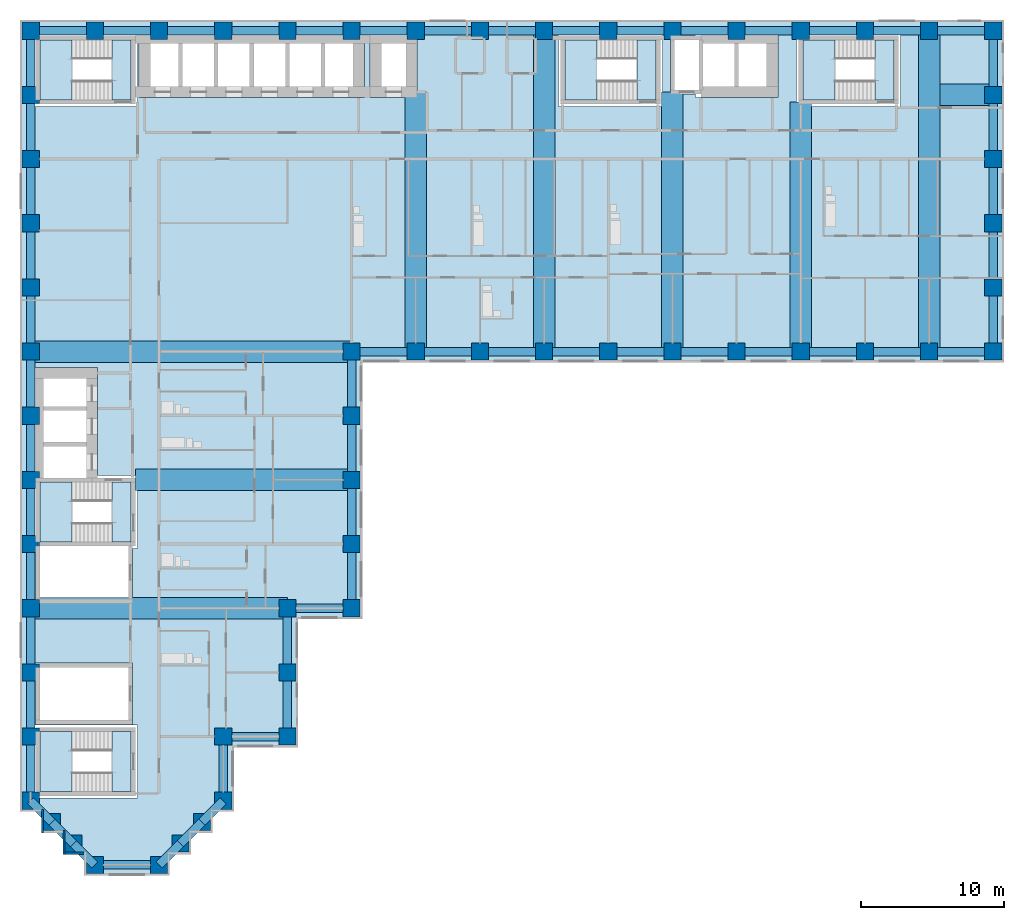
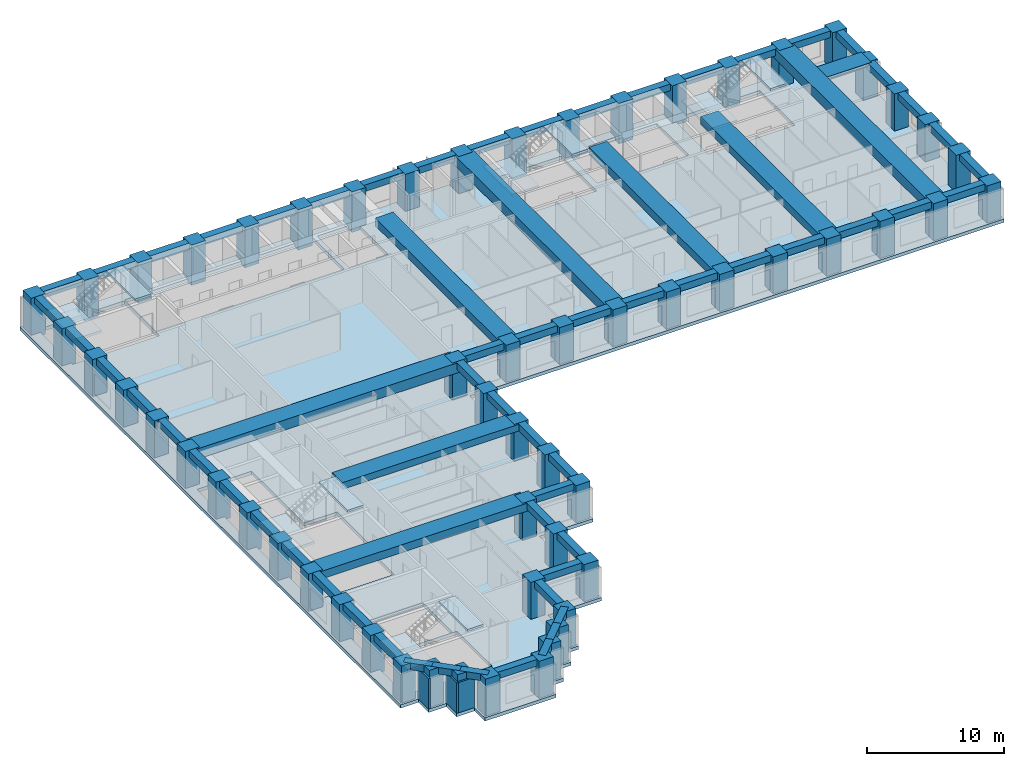
# One storey, part 1 of 12: 67 beams, 58 columns, 11 slabs, 3 walls, 5 elements without a shape of their own.
"""IFC4 building model written with IfcOpenShell, lengths in metres."""

import ifcopenshell
import ifcopenshell.guid

model = None  # the IFC model being written
_history = None  # IfcOwnerHistory: only IFC2X3 demands one
_inside = {}  # id of a spatial element -> (the spatial element, [elements in it])
_under = {}  # id of a project, library or spatial element -> (it, [spatial elements below it])
_declared = {}  # id of a project -> (the project, [libraries it declares])
_typed = {}  # id of a type object -> (the type object, [elements of that type])
_made_of = {}  # id of a material, layer set ... -> (it, [elements and type objects made of it])


def new_model(schema):
    """Start an empty IFC model of exactly this schema.

    Asked for "IFC4X3", IfcOpenShell would pick the latest addendum, in which some entities
    have other attributes; the version numbers below select the first issue.
    IFC2X3 requires an IfcOwnerHistory on every rooted entity: one is made here for all.
    """
    global model, _history
    if schema == "IFC4X3":
        model = ifcopenshell.file(schema_version=(4, 3, 0, 0))
    else:
        model = ifcopenshell.file(schema=schema)
    _inside.clear()
    _under.clear()
    _declared.clear()
    _typed.clear()
    _made_of.clear()
    _history = None
    if model.schema == "IFC2X3":
        org = make("IfcOrganization", Name="unknown")
        user = make(
            "IfcPersonAndOrganization",
            ThePerson=make("IfcPerson", FamilyName="unknown"),
            TheOrganization=org,
        )
        app = make(
            "IfcApplication",
            ApplicationDeveloper=org,
            Version="unknown",
            ApplicationFullName="unknown",
            ApplicationIdentifier="unknown",
        )
        _history = make(
            "IfcOwnerHistory",
            OwningUser=user,
            OwningApplication=app,
            ChangeAction="ADDED",
            CreationDate=0,
        )
    return model


def make(cls, **values):
    """One entity of the class cls with the attributes given. An attribute that is None is left unset."""
    return model.create_entity(
        cls, **{name: value for name, value in values.items() if value is not None}
    )


def rooted(cls, **values):
    """An entity with a GlobalId (a new one), such as an element, a storey or a relation."""
    return make(cls, GlobalId=ifcopenshell.guid.new(), OwnerHistory=_history, **values)


def si_unit(unit_type, name, prefix=None):
    """IfcSIUnit, for example si_unit("LENGTHUNIT", "METRE", prefix="MILLI")."""
    return make("IfcSIUnit", UnitType=unit_type, Prefix=prefix, Name=name)


def assignment(units):
    """IfcUnitAssignment: the units of a project."""
    return None if units is None else make("IfcUnitAssignment", Units=units)


def point(xyz):
    """IfcCartesianPoint."""
    return None if xyz is None else make("IfcCartesianPoint", Coordinates=xyz)


def direction(xyz):
    """IfcDirection."""
    return None if xyz is None else make("IfcDirection", DirectionRatios=xyz)


def frame(location, z_axis=None, x_axis=None):
    """IfcAxis2Placement3D, a coordinate frame: its origin and axes. An axis left out is left unset."""
    return make(
        "IfcAxis2Placement3D",
        Location=point(location),
        Axis=direction(z_axis),
        RefDirection=direction(x_axis),
    )


def frame_2d(location, x_axis=None):
    """IfcAxis2Placement2D, a coordinate frame in the plane: its origin and x axis."""
    return make(
        "IfcAxis2Placement2D", Location=point(location), RefDirection=direction(x_axis)
    )


def origin():
    """The frame at (0, 0, 0) with its axes left unset."""
    return frame((0.0, 0.0, 0.0))


def origin_2d():
    """The frame at (0, 0) in the plane with its x axis left unset."""
    return frame_2d((0.0, 0.0))


def place(relative_to, where):
    """IfcLocalPlacement: puts the frame where relative to a parent placement (None: the world)."""
    return make(
        "IfcLocalPlacement", PlacementRelTo=relative_to, RelativePlacement=where
    )


def context(
    kind, dimensions, precision=None, world=None, true_north=None, identifier=None
):
    """IfcGeometricRepresentationContext, for example the 3D "Model" context."""
    return make(
        "IfcGeometricRepresentationContext",
        ContextIdentifier=identifier,
        ContextType=kind,
        CoordinateSpaceDimension=dimensions,
        Precision=precision,
        WorldCoordinateSystem=world,
        TrueNorth=true_north,
    )


def subcontext(parent, identifier, kind, view, scale=None):
    """IfcGeometricRepresentationSubContext, for example "Body" below "Model"."""
    return make(
        "IfcGeometricRepresentationSubContext",
        ContextIdentifier=identifier,
        ContextType=kind,
        ParentContext=parent,
        TargetScale=scale,
        TargetView=view,
    )


def project(units=None, contexts=None):
    """IfcProject with its units and contexts."""
    return rooted(
        "IfcProject",
        Name="project",
        RepresentationContexts=contexts,
        UnitsInContext=assignment(units),
    )


def spatial(cls, under=None, at=None, **own):
    """A site, building, storey or space (cls), placed at a placement, below another one or the project."""
    s = rooted(cls, ObjectPlacement=at, **own)
    if under is not None:
        _under.setdefault(under.id(), (under, []))[1].append(s)
    return s


def polyline(points):
    """IfcPolyline through the points."""
    return make("IfcPolyline", Points=[point(p) for p in points])


def profile(cls, at=None, kind="AREA", **sizes):
    """A parametric profile (cls). Its sizes go by their IFC names, for example OverallWidth=200.0."""
    return make(cls, ProfileType=kind, Position=at, **sizes)


def rectangle(**sizes):
    """IfcRectangleProfileDef."""
    return profile("IfcRectangleProfileDef", **sizes)


def outline(outer, holes=None, kind="AREA"):
    """IfcArbitraryClosedProfileDef: a profile drawn as a closed curve; with holes, ...WithVoids."""
    if holes is None:
        return make("IfcArbitraryClosedProfileDef", ProfileType=kind, OuterCurve=outer)
    return make(
        "IfcArbitraryProfileDefWithVoids",
        ProfileType=kind,
        OuterCurve=outer,
        InnerCurves=holes,
    )


def extrude(swept, where, along, depth):
    """IfcExtrudedAreaSolid: the profile swept, set in the frame where, extruded along a direction by depth."""
    return make(
        "IfcExtrudedAreaSolid",
        SweptArea=swept,
        Position=where,
        ExtrudedDirection=direction(along),
        Depth=depth,
    )


def shape(context_of_items, identifier, shape_type, items):
    """IfcShapeRepresentation: the items that make up one representation, for example the "Body"."""
    return make(
        "IfcShapeRepresentation",
        ContextOfItems=context_of_items,
        RepresentationIdentifier=identifier,
        RepresentationType=shape_type,
        Items=items,
    )


def material(Name=None, Category=None):
    """IfcMaterial."""
    return make("IfcMaterial", Name=Name, Category=Category)


def layer(
    of_material, thickness, ventilated=None, Name=None, Category=None, Priority=None
):
    """IfcMaterialLayer: one layer of a wall or slab, of a material (None: an air gap)."""
    return make(
        "IfcMaterialLayer",
        Material=of_material,
        LayerThickness=thickness,
        IsVentilated=ventilated,
        Name=Name,
        Category=Category,
        Priority=Priority,
    )


def layer_set(layers, Name=None):
    """IfcMaterialLayerSet."""
    return make("IfcMaterialLayerSet", MaterialLayers=layers, LayerSetName=Name)


def material_profile(
    of_material, cross_section, Name=None, Category=None, Priority=None
):
    """IfcMaterialProfile: a cross section and its material."""
    return make(
        "IfcMaterialProfile",
        Name=Name,
        Material=of_material,
        Profile=cross_section,
        Priority=Priority,
        Category=Category,
    )


def profile_set(profiles, Name=None, composite=None):
    """IfcMaterialProfileSet."""
    return make(
        "IfcMaterialProfileSet",
        Name=Name,
        MaterialProfiles=profiles,
        CompositeProfile=composite,
    )


def made_of(thing, what):
    """Note that an element or type object is made of a material, layer set ...; save() writes the relation."""
    if what is not None:
        _made_of.setdefault(what.id(), (what, []))[1].append(thing)
    return thing


def type_object(cls, material=None, **own):
    """A type object (cls), such as IfcWallType, which elements share."""
    return made_of(rooted(cls, **own), material)


def element(
    cls,
    number,
    at=None,
    inside=None,
    cuts=None,
    type_object=None,
    material=None,
    context=None,
    identifier="Body",
    shape_type=None,
    held_by="IfcProductDefinitionShape",
    body=None,
    shapes=None,
    **own,
):
    """One element of the class cls, such as IfcWall. Its Tag is "e" and its number.

    at: its placement. inside: the storey or other place that contains it. cuts: it is an
    opening in that element (IfcRelVoidsElement). A single representation is given by context,
    identifier, shape_type and body (its items); several are given by shapes. held_by: the class
    of the entity that holds the representations. save() writes the other relations.
    """
    e = rooted(cls, Tag="e%d" % number, ObjectPlacement=at, **own)
    if body is not None:
        shapes = [shape(context, identifier, shape_type, body)]
    if shapes is not None:
        e.Representation = make(held_by, Representations=shapes)
    if inside is not None:
        _inside.setdefault(inside.id(), (inside, []))[1].append(e)
    if cuts is not None:
        rooted(
            "IfcRelVoidsElement", RelatingBuildingElement=cuts, RelatedOpeningElement=e
        )
    if type_object is not None:
        _typed.setdefault(type_object.id(), (type_object, []))[1].append(e)
    return made_of(e, material)


def aggregate(whole, parts):
    """IfcRelAggregates: a whole, such as a stair, and the parts it consists of."""
    return rooted("IfcRelAggregates", RelatingObject=whole, RelatedObjects=parts)


def save(model, path):
    """Write the relations noted so far, then the file.

    IfcRelAggregates (storeys below a building ...), IfcRelContainedInSpatialStructure (elements
    in a storey), IfcRelDefinesByType, IfcRelAssociatesMaterial and IfcRelDeclares: one each for
    every whole, place, type object, material and project.
    """
    for whole, parts in _under.values():
        aggregate(whole, parts)
    for where, things in _inside.values():
        rooted(
            "IfcRelContainedInSpatialStructure",
            RelatedElements=things,
            RelatingStructure=where,
        )
    for kind, things in _typed.values():
        rooted("IfcRelDefinesByType", RelatedObjects=things, RelatingType=kind)
    for what, things in _made_of.values():
        rooted("IfcRelAssociatesMaterial", RelatedObjects=things, RelatingMaterial=what)
    for by, libraries in _declared.values():
        rooted("IfcRelDeclares", RelatingContext=by, RelatedDefinitions=libraries)
    model.write(path)


model = new_model("IFC4")

# Units and contexts
model_context = context("Model", 3, precision=1e-05, world=origin(), true_north=direction((0.0, 1.0)))
body_context = subcontext(model_context, "Body", "Model", "MODEL_VIEW")
ifc_project = project(units=[si_unit("LENGTHUNIT", "METRE"), si_unit("AREAUNIT", "SQUARE_METRE"), si_unit("VOLUMEUNIT", "CUBIC_METRE"), si_unit("PLANEANGLEUNIT", "RADIAN"), si_unit("MASSUNIT", "GRAM", prefix="KILO")], contexts=[model_context])

# Site, building, storey
site_placement = place(None, origin())
site = spatial("IfcSite", under=ifc_project, at=site_placement, CompositionType="ELEMENT")
building_placement = place(site_placement, origin())
building = spatial("IfcBuilding", under=site, at=building_placement, Name="Firuza Court", CompositionType="ELEMENT")
storey_placement = place(building_placement, frame((0.0, 0.0, 54.199951171875)))
storey = spatial("IfcBuildingStorey", under=building, at=storey_placement, Name="L12", CompositionType="ELEMENT", Elevation=54.199951171875)

# Columns
ifc_material_1 = material(Name="Concrete C70/85", Category="concrete")
ifc_material_profile_1 = material_profile(ifc_material_1, rectangle(XDim=1.199951171875, YDim=1.199951171875, at=origin_2d()), Name="RC 1200x1200")
ifc_profile_set_1 = profile_set([ifc_material_profile_1], Name="Concrete C70/85")
column_type = type_object("IfcColumnType", Name="Tube column RC 1200x1200 C70/85", PredefinedType="COLUMN", material=ifc_profile_set_1)
for number, where, z_axis, x_axis, name in (
    (1, (4.5, 0.0, -0.300048828125), (0.0, 0.0, 1.0), (1.0, 0.0, 0.0), "Column C-2D L12"),
    (2, (9.0, 0.0, -0.300048828125), (0.0, 0.0, 1.0), (1.0, 0.0, 0.0), "Column C-3D L12"),
    (3, (3.0, 1.5, -0.300048828125), (0.0, 0.0, 1.0), (1.0, 0.0, 0.0), "Column C-SA1 L12"),
    (4, (10.5, 1.5, -0.300048828125), (0.0, 0.0, 1.0), (1.0, 0.0, 0.0), "Column C-SA2 L12"),
    (5, (1.5, 3.0, -0.300048828125), (0.0, 0.0, 1.0), (1.0, 0.0, 0.0), "Column C-SA3 L12"),
    (6, (12.0, 3.0, -0.300048828125), (0.0, 0.0, 1.0), (1.0, 0.0, 0.0), "Column C-SA4 L12"),
    (7, (0.0, 4.5, -0.300048828125), (0.0, 0.0, 1.0), (1.0, 0.0, 0.0), "Column C-1E L12"),
    (8, (13.5, 4.5, -0.300048828125), (0.0, 0.0, 1.0), (1.0, 0.0, 0.0), "Column C-4E L12"),
    (9, (0.0, 9.0, -0.300048828125), (0.0, 0.0, 1.0), (1.0, 0.0, 0.0), "Column C-1F L12"),
    (10, (13.5, 9.0, -0.300048828125), (0.0, 0.0, 1.0), (1.0, 0.0, 0.0), "Column C-4F L12"),
    (11, (18.0, 9.0, -0.300048828125), (0.0, 0.0, 1.0), (1.0, 0.0, 0.0), "Column C-5F L12"),
    (12, (0.0, 13.5, -0.300048828125), (0.0, 0.0, 1.0), (1.0, 0.0, 0.0), "Column C-1G L12"),
    (13, (18.0, 13.5, -0.300048828125), (0.0, 0.0, 1.0), (1.0, 0.0, 0.0), "Column C-5G L12"),
    (14, (0.0, 18.0, -0.300048828125), (0.0, 0.0, 1.0), (1.0, 0.0, 0.0), "Column C-1H L12"),
    (15, (18.0, 18.0, -0.300048828125), (0.0, 0.0, 1.0), (1.0, 0.0, 0.0), "Column C-5H L12"),
    (16, (22.5, 18.0, -0.300048828125), (0.0, 0.0, 1.0), (1.0, 0.0, 0.0), "Column C-6H L12"),
    (17, (0.0, 22.5, -0.300048828125), (0.0, 0.0, 1.0), (1.0, 0.0, 0.0), "Column C-1J L12"),
    (18, (22.5, 22.5, -0.300048828125), (0.0, 0.0, 1.0), (1.0, 0.0, 0.0), "Column C-6J L12"),
    (19, (0.0, 27.0, -0.300048828125), (0.0, 0.0, 1.0), (1.0, 0.0, 0.0), "Column C-1K L12"),
    (20, (22.5, 27.0, -0.300048828125), (0.0, 0.0, 1.0), (1.0, 0.0, 0.0), "Column C-6K L12"),
    (21, (0.0, 31.5, -0.300048828125), (0.0, 0.0, 1.0), (1.0, 0.0, 0.0), "Column C-1L L12"),
    (22, (22.5, 31.5, -0.300048828125), (0.0, 0.0, 1.0), (1.0, 0.0, 0.0), "Column C-6L L12"),
    (23, (0.0, 36.0, -0.300048828125), (0.0, 0.0, 1.0), (1.0, 0.0, 0.0), "Column C-1M L12"),
    (24, (22.5, 36.0, -0.300048828125), (0.0, 0.0, 1.0), (1.0, 0.0, 0.0), "Column C-6M L12"),
    (25, (27.0, 36.0, -0.300048828125), (0.0, 0.0, 1.0), (1.0, 0.0, 0.0), "Column C-7M L12"),
    (26, (31.5, 36.0, -0.300048828125), (0.0, 0.0, 1.0), (1.0, 0.0, 0.0), "Column C-8M L12"),
    (27, (36.0, 36.0, -0.300048828125), (0.0, 0.0, 1.0), (1.0, 0.0, 0.0), "Column C-9M L12"),
    (28, (40.5, 36.0, -0.300048828125), (0.0, 0.0, 1.0), (1.0, 0.0, 0.0), "Column C-10M L12"),
    (29, (45.0, 36.0, -0.300048828125), (0.0, 0.0, 1.0), (1.0, 0.0, 0.0), "Column C-11M L12"),
    (30, (49.5, 36.0, -0.300048828125), (0.0, 0.0, 1.0), (1.0, 0.0, 0.0), "Column C-12M L12"),
    (31, (54.0, 36.0, -0.300048828125), (0.0, 0.0, 1.0), (1.0, 0.0, 0.0), "Column C-13M L12"),
    (32, (58.5, 36.0, -0.300048828125), (0.0, 0.0, 1.0), (1.0, 0.0, 0.0), "Column C-14M L12"),
    (33, (63.0, 36.0, -0.300048828125), (0.0, 0.0, 1.0), (1.0, 0.0, 0.0), "Column C-15M L12"),
    (34, (67.5, 36.0, -0.300048828125), (0.0, 0.0, 1.0), (1.0, 0.0, 0.0), "Column C-16M L12"),
    (35, (0.0, 40.5, -0.300048828125), (0.0, 0.0, 1.0), (1.0, 0.0, 0.0), "Column C-1N L12"),
    (36, (67.5, 40.5, -0.300048828125), (0.0, 0.0, 1.0), (1.0, 0.0, 0.0), "Column C-16N L12"),
    (37, (0.0, 45.0, -0.300048828125), (0.0, 0.0, 1.0), (1.0, 0.0, 0.0), "Column C-1P L12"),
    (38, (67.5, 45.0, -0.300048828125), (0.0, 0.0, 1.0), (1.0, 0.0, 0.0), "Column C-16P L12"),
    (39, (0.0, 49.5, -0.300048828125), (0.0, 0.0, 1.0), (1.0, 0.0, 0.0), "Column C-1Q L12"),
    (40, (67.5, 49.5, -0.300048828125), (0.0, 0.0, 1.0), (1.0, 0.0, 0.0), "Column C-16Q L12"),
    (41, (0.0, 54.0, -0.300048828125), (0.0, 0.0, 1.0), (1.0, 0.0, 0.0), "Column C-1R L12"),
    (42, (67.5, 54.0, -0.300048828125), (0.0, 0.0, 1.0), (1.0, 0.0, 0.0), "Column C-16R L12"),
    (43, (0.0, 58.5, -0.300048828125), (0.0, 0.0, 1.0), (1.0, 0.0, 0.0), "Column C-1S L12"),
    (44, (4.5, 58.5, -0.300048828125), (0.0, 0.0, 1.0), (1.0, 0.0, 0.0), "Column C-2S L12"),
    (45, (9.0, 58.5, -0.300048828125), (0.0, 0.0, 1.0), (1.0, 0.0, 0.0), "Column C-3S L12"),
    (46, (13.5, 58.5, -0.300048828125), (0.0, 0.0, 1.0), (1.0, 0.0, 0.0), "Column C-4S L12"),
    (47, (18.0, 58.5, -0.300048828125), (0.0, 0.0, 1.0), (1.0, 0.0, 0.0), "Column C-5S L12"),
    (48, (22.5, 58.5, -0.300048828125), (0.0, 0.0, 1.0), (1.0, 0.0, 0.0), "Column C-6S L12"),
    (49, (27.0, 58.5, -0.300048828125), (0.0, 0.0, 1.0), (1.0, 0.0, 0.0), "Column C-7S L12"),
    (50, (31.5, 58.5, -0.300048828125), (0.0, 0.0, 1.0), (1.0, 0.0, 0.0), "Column C-8S L12"),
    (51, (36.0, 58.5, -0.300048828125), (0.0, 0.0, 1.0), (1.0, 0.0, 0.0), "Column C-9S L12"),
    (52, (40.5, 58.5, -0.300048828125), (0.0, 0.0, 1.0), (1.0, 0.0, 0.0), "Column C-10S L12"),
    (53, (45.0, 58.5, -0.300048828125), (0.0, 0.0, 1.0), (1.0, 0.0, 0.0), "Column C-11S L12"),
    (54, (49.5, 58.5, -0.300048828125), (0.0, 0.0, 1.0), (1.0, 0.0, 0.0), "Column C-12S L12"),
    (55, (54.0, 58.5, -0.300048828125), (0.0, 0.0, 1.0), (1.0, 0.0, 0.0), "Column C-13S L12"),
    (56, (58.5, 58.5, -0.300048828125), (0.0, 0.0, 1.0), (1.0, 0.0, 0.0), "Column C-14S L12"),
    (57, (63.0, 58.5, -0.300048828125), (0.0, 0.0, 1.0), (1.0, 0.0, 0.0), "Column C-15S L12"),
    (58, (67.5, 58.5, -0.300048828125), (0.0, 0.0, 1.0), (1.0, 0.0, 0.0), "Column C-16S L12"),
):
    element("IfcColumn", number, at=place(storey_placement, frame(where, z_axis=z_axis, x_axis=x_axis)), inside=storey, type_object=column_type, Name=name, PredefinedType="COLUMN", context=body_context, shape_type="SweptSolid", body=[
        extrude(rectangle(XDim=1.199951171875, YDim=1.199951171875, at=origin_2d()), origin(), (0.0, 0.0, 1.0), 3.60009765625),
    ])

# Beams
ifc_material_2 = material(Name="Concrete C40/50", Category="concrete")
ifc_material_profile_2 = material_profile(ifc_material_2, rectangle(XDim=1.5, YDim=0.300048828125, at=origin_2d()), Name="RC 1500x300")
ifc_profile_set_2 = profile_set([ifc_material_profile_2], Name="Concrete C40/50")
beam_type_1 = type_object("IfcBeamType", Name="Band beam RC 1500x300 C40/50", PredefinedType="BEAM", material=ifc_profile_set_2)
beam_1_placement = place(storey_placement, frame((67.5, 54.0, 3.150146484375), z_axis=(-1.0, 0.0, 0.0), x_axis=(0.0, -1.0, 0.0)))
element("IfcBeam", 59, at=beam_1_placement, inside=storey, type_object=beam_type_1, Name="Band beam FB6 level L13", PredefinedType="BEAM", context=body_context, shape_type="SweptSolid", body=[
    extrude(rectangle(XDim=1.5, YDim=0.300048828125, at=origin_2d()), origin(), (0.0, 0.0, 1.0), 3.75),
])
ifc_material_3 = material(Name="Concrete C40/50", Category="concrete")
ifc_material_profile_3 = material_profile(ifc_material_3, rectangle(XDim=1.5, YDim=0.60009765625, at=origin_2d()), Name="RC 1500x600")
ifc_profile_set_3 = profile_set([ifc_material_profile_3], Name="Concrete C40/50")
beam_type_2 = type_object("IfcBeamType", Name="Band beam RC 1500x600 C40/50", PredefinedType="BEAM", material=ifc_profile_set_3)
beam_2_placement = place(storey_placement, frame((22.5, 27.0, 3.0), z_axis=(-1.0, 0.0, 0.0), x_axis=(0.0, -1.0, 0.0)))
element("IfcBeam", 60, at=beam_2_placement, inside=storey, type_object=beam_type_2, Name="Band beam FB3 level L13", PredefinedType="BEAM", context=body_context, shape_type="SweptSolid", body=[
    extrude(rectangle(XDim=1.5, YDim=0.60009765625, at=origin_2d()), origin(), (0.0, 0.0, 1.0), 15.14990234375),
])
ifc_material_4 = material(Name="Concrete C40/50", Category="concrete")
ifc_material_profile_4 = material_profile(ifc_material_4, rectangle(XDim=1.5, YDim=0.699951171875, at=origin_2d()), Name="RC 1500x700")
ifc_profile_set_4 = profile_set([ifc_material_profile_4], Name="Concrete C40/50")
beam_type_3 = type_object("IfcBeamType", Name="Band beam RC 1500x700 C40/50", PredefinedType="BEAM", material=ifc_profile_set_4)
beam_3_placement = place(storey_placement, frame((0.0, 18.0, 2.949951171875), z_axis=(1.0, 0.0, 0.0), x_axis=(0.0, 1.0, 0.0)))
element("IfcBeam", 61, at=beam_3_placement, inside=storey, type_object=beam_type_3, Name="Band beam FB1 level L13", PredefinedType="BEAM", context=body_context, shape_type="SweptSolid", body=[
    extrude(rectangle(XDim=1.5, YDim=0.699951171875, at=origin_2d()), origin(), (0.0, 0.0, 1.0), 18.0),
])
for number, where, z_axis, x_axis, name in (
    (62, (27.0, 36.0, 2.949951171875), (0.0, 1.0, 0.0), (-1.0, 0.0, 0.0), "Band beam FB1 level L13"),
    (63, (45.0, 36.0, 2.949951171875), (0.0, 1.0, 0.0), (-1.0, 0.0, 0.0), "Band beam FB1 level L13"),
):
    element("IfcBeam", number, at=place(storey_placement, frame(where, z_axis=z_axis, x_axis=x_axis)), inside=storey, type_object=beam_type_3, Name=name, PredefinedType="BEAM", context=body_context, shape_type="SweptSolid", body=[
        extrude(rectangle(XDim=1.5, YDim=0.699951171875, at=origin_2d()), origin(), (0.0, 0.0, 1.0), 18.199951171875),
    ])
beam_4_placement = place(storey_placement, frame((54.0, 36.0, 2.949951171875), z_axis=(0.0, 1.0, 0.0), x_axis=(-1.0, 0.0, 0.0)))
element("IfcBeam", 64, at=beam_4_placement, inside=storey, type_object=beam_type_3, Name="Band beam FB1 level L13", PredefinedType="BEAM", context=body_context, shape_type="SweptSolid", body=[
    extrude(rectangle(XDim=1.5, YDim=0.699951171875, at=origin_2d()), origin(), (0.0, 0.0, 1.0), 17.5),
])
ifc_material_5 = material(Name="Concrete C40/50", Category="concrete")
ifc_material_profile_5 = material_profile(ifc_material_5, rectangle(XDim=1.5, YDim=0.89990234375, at=origin_2d()), Name="RC 1500x900")
ifc_profile_set_5 = profile_set([ifc_material_profile_5], Name="Concrete C40/50")
beam_type_4 = type_object("IfcBeamType", Name="Band beam RC 1500x900 C40/50", PredefinedType="BEAM", material=ifc_profile_set_5)
for number, where, z_axis, x_axis, name in (
    (65, (0.0, 36.0, 2.85009765625), (1.0, 0.0, 0.0), (0.0, 1.0, 0.0), "Band beam FB2 level L13"),
    (66, (36.0, 36.0, 2.85009765625), (0.0, 1.0, 0.0), (-1.0, 0.0, 0.0), "Band beam FB2 level L13"),
    (67, (63.0, 36.0, 2.85009765625), (0.0, 1.0, 0.0), (-1.0, 0.0, 0.0), "Band beam FB2 level L13"),
):
    element("IfcBeam", number, at=place(storey_placement, frame(where, z_axis=z_axis, x_axis=x_axis)), inside=storey, type_object=beam_type_4, Name=name, PredefinedType="BEAM", context=body_context, shape_type="SweptSolid", body=[
        extrude(rectangle(XDim=1.5, YDim=0.89990234375, at=origin_2d()), origin(), (0.0, 0.0, 1.0), 22.5),
    ])
ifc_material_6 = material(Name="Concrete C40/50", Category="concrete")
ifc_material_profile_6 = material_profile(ifc_material_6, rectangle(XDim=0.60009765625, YDim=0.60009765625, at=origin_2d()), Name="RC 600x600")
ifc_profile_set_6 = profile_set([ifc_material_profile_6], Name="Concrete C40/50")
beam_type_5 = type_object("IfcBeamType", Name="Spandrel beam RC 600x600 C40/50", PredefinedType="BEAM", material=ifc_profile_set_6)
beam_5_placement = place(storey_placement, frame((0.0, 4.5, 3.0), z_axis=(0.707106781187, -0.707106781187, 0.0), x_axis=(0.707106781187, 0.707106781187, 0.0)))
element("IfcBeam", 68, at=beam_5_placement, inside=storey, type_object=beam_type_5, Name="Spandrel beam SP11 level L13", PredefinedType="BEAM", context=body_context, shape_type="SweptSolid", body=[
    extrude(rectangle(XDim=0.60009765625, YDim=0.60009765625, at=origin_2d()), origin(), (0.0, 0.0, 1.0), 2.121337890625),
])
for number, where, z_axis, x_axis, name in (
    (69, (0.0, 9.0, 3.0), (0.0, -1.0, 0.0), (1.0, 0.0, 0.0), "Spandrel beam SP11 level L13"),
    (70, (0.0, 13.5, 3.0), (0.0, -1.0, 0.0), (1.0, 0.0, 0.0), "Spandrel beam SP11 level L13"),
    (71, (0.0, 18.0, 3.0), (0.0, -1.0, 0.0), (1.0, 0.0, 0.0), "Spandrel beam SP11 level L13"),
    (72, (0.0, 22.5, 3.0), (0.0, -1.0, 0.0), (1.0, 0.0, 0.0), "Spandrel beam SP11 level L13"),
    (73, (0.0, 27.0, 3.0), (0.0, -1.0, 0.0), (1.0, 0.0, 0.0), "Spandrel beam SP11 level L13"),
    (74, (0.0, 31.5, 3.0), (0.0, -1.0, 0.0), (1.0, 0.0, 0.0), "Spandrel beam SP11 level L13"),
    (75, (0.0, 36.0, 3.0), (0.0, -1.0, 0.0), (1.0, 0.0, 0.0), "Spandrel beam SP11 level L13"),
    (76, (0.0, 40.5, 3.0), (0.0, -1.0, 0.0), (1.0, 0.0, 0.0), "Spandrel beam SP11 level L13"),
    (77, (0.0, 45.0, 3.0), (0.0, -1.0, 0.0), (1.0, 0.0, 0.0), "Spandrel beam SP11 level L13"),
    (78, (0.0, 49.5, 3.0), (0.0, -1.0, 0.0), (1.0, 0.0, 0.0), "Spandrel beam SP11 level L13"),
    (79, (0.0, 54.0, 3.0), (0.0, -1.0, 0.0), (1.0, 0.0, 0.0), "Spandrel beam SP11 level L13"),
    (80, (0.0, 58.5, 3.0), (0.0, -1.0, 0.0), (1.0, 0.0, 0.0), "Spandrel beam SP11 level L13"),
):
    element("IfcBeam", number, at=place(storey_placement, frame(where, z_axis=z_axis, x_axis=x_axis)), inside=storey, type_object=beam_type_5, Name=name, PredefinedType="BEAM", context=body_context, shape_type="SweptSolid", body=[
        extrude(rectangle(XDim=0.60009765625, YDim=0.60009765625, at=origin_2d()), origin(), (0.0, 0.0, 1.0), 4.5),
    ])
for number, where, z_axis, x_axis, name in (
    (81, (1.5, 3.0, 3.0), (0.707106781187, -0.707106781187, 0.0), (0.707106781187, 0.707106781187, 0.0), "Spandrel beam SP11 level L13"),
    (82, (3.0, 1.5, 3.0), (0.707106781187, -0.707106781187, 0.0), (0.707106781187, 0.707106781187, 0.0), "Spandrel beam SP11 level L13"),
):
    element("IfcBeam", number, at=place(storey_placement, frame(where, z_axis=z_axis, x_axis=x_axis)), inside=storey, type_object=beam_type_5, Name=name, PredefinedType="BEAM", context=body_context, shape_type="SweptSolid", body=[
        extrude(rectangle(XDim=0.60009765625, YDim=0.60009765625, at=origin_2d()), origin(), (0.0, 0.0, 1.0), 2.121337890625),
    ])
for number, where, z_axis, x_axis, name in (
    (83, (4.5, 0.0, 3.0), (1.0, 0.0, 0.0), (0.0, 1.0, 0.0), "Spandrel beam SP11 level L13"),
    (84, (4.5, 58.5, 3.0), (-1.0, 0.0, 0.0), (0.0, -1.0, 0.0), "Spandrel beam SP11 level L13"),
):
    element("IfcBeam", number, at=place(storey_placement, frame(where, z_axis=z_axis, x_axis=x_axis)), inside=storey, type_object=beam_type_5, Name=name, PredefinedType="BEAM", context=body_context, shape_type="SweptSolid", body=[
        extrude(rectangle(XDim=0.60009765625, YDim=0.60009765625, at=origin_2d()), origin(), (0.0, 0.0, 1.0), 4.5),
    ])
beam_6_placement = place(storey_placement, frame((9.0, 0.0, 3.0), z_axis=(0.707106781187, 0.707106781187, 0.0), x_axis=(-0.707106781187, 0.707106781187, 0.0)))
element("IfcBeam", 85, at=beam_6_placement, inside=storey, type_object=beam_type_5, Name="Spandrel beam SP11 level L13", PredefinedType="BEAM", context=body_context, shape_type="SweptSolid", body=[
    extrude(rectangle(XDim=0.60009765625, YDim=0.60009765625, at=origin_2d()), origin(), (0.0, 0.0, 1.0), 2.121337890625),
])
beam_7_placement = place(storey_placement, frame((9.0, 58.5, 3.0), z_axis=(-1.0, 0.0, 0.0), x_axis=(0.0, -1.0, 0.0)))
element("IfcBeam", 86, at=beam_7_placement, inside=storey, type_object=beam_type_5, Name="Spandrel beam SP11 level L13", PredefinedType="BEAM", context=body_context, shape_type="SweptSolid", body=[
    extrude(rectangle(XDim=0.60009765625, YDim=0.60009765625, at=origin_2d()), origin(), (0.0, 0.0, 1.0), 4.5),
])
for number, where, z_axis, x_axis, name in (
    (87, (10.5, 1.5, 3.0), (0.707106781187, 0.707106781187, 0.0), (-0.707106781187, 0.707106781187, 0.0), "Spandrel beam SP11 level L13"),
    (88, (12.0, 3.0, 3.0), (0.707106781187, 0.707106781187, 0.0), (-0.707106781187, 0.707106781187, 0.0), "Spandrel beam SP11 level L13"),
):
    element("IfcBeam", number, at=place(storey_placement, frame(where, z_axis=z_axis, x_axis=x_axis)), inside=storey, type_object=beam_type_5, Name=name, PredefinedType="BEAM", context=body_context, shape_type="SweptSolid", body=[
        extrude(rectangle(XDim=0.60009765625, YDim=0.60009765625, at=origin_2d()), origin(), (0.0, 0.0, 1.0), 2.121337890625),
    ])
for number, where, z_axis, x_axis, name in (
    (89, (13.5, 4.5, 3.0), (0.0, 1.0, 0.0), (-1.0, 0.0, 0.0), "Spandrel beam SP11 level L13"),
    (90, (13.5, 9.0, 3.0), (1.0, 0.0, 0.0), (0.0, 1.0, 0.0), "Spandrel beam SP11 level L13"),
    (91, (13.5, 58.5, 3.0), (-1.0, 0.0, 0.0), (0.0, -1.0, 0.0), "Spandrel beam SP11 level L13"),
    (92, (18.0, 9.0, 3.0), (0.0, 1.0, 0.0), (-1.0, 0.0, 0.0), "Spandrel beam SP11 level L13"),
    (93, (18.0, 13.5, 3.0), (0.0, 1.0, 0.0), (-1.0, 0.0, 0.0), "Spandrel beam SP11 level L13"),
    (94, (18.0, 18.0, 3.0), (1.0, 0.0, 0.0), (0.0, 1.0, 0.0), "Spandrel beam SP11 level L13"),
    (95, (18.0, 58.5, 3.0), (-1.0, 0.0, 0.0), (0.0, -1.0, 0.0), "Spandrel beam SP11 level L13"),
    (96, (22.5, 18.0, 3.0), (0.0, 1.0, 0.0), (-1.0, 0.0, 0.0), "Spandrel beam SP11 level L13"),
    (97, (22.5, 22.5, 3.0), (0.0, 1.0, 0.0), (-1.0, 0.0, 0.0), "Spandrel beam SP11 level L13"),
    (98, (22.5, 27.0, 3.0), (0.0, 1.0, 0.0), (-1.0, 0.0, 0.0), "Spandrel beam SP11 level L13"),
    (99, (22.5, 31.5, 3.0), (0.0, 1.0, 0.0), (-1.0, 0.0, 0.0), "Spandrel beam SP11 level L13"),
    (100, (22.5, 36.0, 3.0), (1.0, 0.0, 0.0), (0.0, 1.0, 0.0), "Spandrel beam SP11 level L13"),
    (101, (22.5, 58.5, 3.0), (-1.0, 0.0, 0.0), (0.0, -1.0, 0.0), "Spandrel beam SP11 level L13"),
    (102, (27.0, 36.0, 3.0), (1.0, 0.0, 0.0), (0.0, 1.0, 0.0), "Spandrel beam SP11 level L13"),
    (103, (27.0, 58.5, 3.0), (-1.0, 0.0, 0.0), (0.0, -1.0, 0.0), "Spandrel beam SP11 level L13"),
    (104, (31.5, 36.0, 3.0), (1.0, 0.0, 0.0), (0.0, 1.0, 0.0), "Spandrel beam SP11 level L13"),
    (105, (31.5, 58.5, 3.0), (-1.0, 0.0, 0.0), (0.0, -1.0, 0.0), "Spandrel beam SP11 level L13"),
    (106, (36.0, 36.0, 3.0), (1.0, 0.0, 0.0), (0.0, 1.0, 0.0), "Spandrel beam SP11 level L13"),
    (107, (36.0, 58.5, 3.0), (-1.0, 0.0, 0.0), (0.0, -1.0, 0.0), "Spandrel beam SP11 level L13"),
    (108, (40.5, 36.0, 3.0), (1.0, 0.0, 0.0), (0.0, 1.0, 0.0), "Spandrel beam SP11 level L13"),
    (109, (40.5, 58.5, 3.0), (-1.0, 0.0, 0.0), (0.0, -1.0, 0.0), "Spandrel beam SP11 level L13"),
    (110, (45.0, 36.0, 3.0), (1.0, 0.0, 0.0), (0.0, 1.0, 0.0), "Spandrel beam SP11 level L13"),
    (111, (45.0, 58.5, 3.0), (-1.0, 0.0, 0.0), (0.0, -1.0, 0.0), "Spandrel beam SP11 level L13"),
    (112, (49.5, 36.0, 3.0), (1.0, 0.0, 0.0), (0.0, 1.0, 0.0), "Spandrel beam SP11 level L13"),
    (113, (49.5, 58.5, 3.0), (-1.0, 0.0, 0.0), (0.0, -1.0, 0.0), "Spandrel beam SP11 level L13"),
    (114, (54.0, 36.0, 3.0), (1.0, 0.0, 0.0), (0.0, 1.0, 0.0), "Spandrel beam SP11 level L13"),
    (115, (54.0, 58.5, 3.0), (-1.0, 0.0, 0.0), (0.0, -1.0, 0.0), "Spandrel beam SP11 level L13"),
    (116, (58.5, 36.0, 3.0), (1.0, 0.0, 0.0), (0.0, 1.0, 0.0), "Spandrel beam SP11 level L13"),
    (117, (58.5, 58.5, 3.0), (-1.0, 0.0, 0.0), (0.0, -1.0, 0.0), "Spandrel beam SP11 level L13"),
    (118, (63.0, 36.0, 3.0), (1.0, 0.0, 0.0), (0.0, 1.0, 0.0), "Spandrel beam SP11 level L13"),
    (119, (63.0, 58.5, 3.0), (-1.0, 0.0, 0.0), (0.0, -1.0, 0.0), "Spandrel beam SP11 level L13"),
    (120, (67.5, 36.0, 3.0), (0.0, 1.0, 0.0), (-1.0, 0.0, 0.0), "Spandrel beam SP11 level L13"),
    (121, (67.5, 40.5, 3.0), (0.0, 1.0, 0.0), (-1.0, 0.0, 0.0), "Spandrel beam SP11 level L13"),
    (122, (67.5, 45.0, 3.0), (0.0, 1.0, 0.0), (-1.0, 0.0, 0.0), "Spandrel beam SP11 level L13"),
    (123, (67.5, 49.5, 3.0), (0.0, 1.0, 0.0), (-1.0, 0.0, 0.0), "Spandrel beam SP11 level L13"),
    (124, (67.5, 54.0, 3.0), (0.0, 1.0, 0.0), (-1.0, 0.0, 0.0), "Spandrel beam SP11 level L13"),
    (125, (67.5, 58.5, 3.0), (-1.0, 0.0, 0.0), (0.0, -1.0, 0.0), "Spandrel beam SP11 level L13"),
):
    element("IfcBeam", number, at=place(storey_placement, frame(where, z_axis=z_axis, x_axis=x_axis)), inside=storey, type_object=beam_type_5, Name=name, PredefinedType="BEAM", context=body_context, shape_type="SweptSolid", body=[
        extrude(rectangle(XDim=0.60009765625, YDim=0.60009765625, at=origin_2d()), origin(), (0.0, 0.0, 1.0), 4.5),
    ])

# Slab
ifc_material_7 = material(Name="Concrete C40/50", Category="concrete")
ifc_layer_1 = layer(ifc_material_7, 0.300048828125)
ifc_layer_set_1 = layer_set([ifc_layer_1], Name="Concrete C40/50")
slab_type_1 = type_object("IfcSlabType", Name="Floor slab 300 C40/50", PredefinedType="FLOOR", material=ifc_layer_set_1)
slab_1_placement = place(storey_placement, frame((0.0, 0.0, -0.300048828125)))
element("IfcSlab", 126, at=slab_1_placement, inside=storey, type_object=slab_type_1, Name="Floor slab L12", PredefinedType="FLOOR", context=body_context, shape_type="SweptSolid", body=[
    extrude(outline(polyline([(3.75, -0.75), (3.75, 0.75), (2.25, 0.75), (2.25, 2.25), (0.75, 2.25), (0.75, 3.75), (-0.75, 3.75), (-0.75, 59.25), (68.25, 59.25), (68.25, 35.25), (23.25, 35.25), (23.25, 17.25), (18.75, 17.25), (18.75, 8.25), (14.25, 8.25), (14.25, 3.75), (12.75, 3.75), (12.75, 2.25), (11.25, 2.25), (11.25, 0.75), (9.75, 0.75), (9.75, -0.75), (3.75, -0.75)]), holes=[polyline([(7.5, 9.800048828125), (0.199951171875, 9.800048828125), (0.199951171875, 4.699951171875), (7.5, 4.699951171875), (7.5, 9.800048828125)]), polyline([(7.14990234375, 14.14990234375), (0.35009765625, 14.14990234375), (0.35009765625, 9.85009765625), (7.14990234375, 9.85009765625), (7.14990234375, 14.14990234375)]), polyline([(0.199951171875, 22.199951171875), (0.35009765625, 22.199951171875), (0.35009765625, 18.35009765625), (7.14990234375, 18.35009765625), (7.14990234375, 22.199951171875), (7.5, 22.199951171875), (7.5, 27.300048828125), (4.699951171875, 27.300048828125), (4.699951171875, 29.10009765625), (4.699951171875, 29.89990234375), (4.699951171875, 31.60009765625), (4.699951171875, 32.39990234375), (4.699951171875, 34.89990234375), (0.10009765625, 34.89990234375), (0.10009765625, 32.39990234375), (0.10009765625, 31.60009765625), (0.10009765625, 29.89990234375), (0.10009765625, 29.10009765625), (0.10009765625, 26.60009765625), (0.199951171875, 26.60009765625), (0.199951171875, 22.199951171875)]), polyline([(7.5, 58.300048828125), (0.199951171875, 58.300048828125), (0.199951171875, 53.199951171875), (7.5, 53.199951171875), (7.5, 58.300048828125)]), polyline([(10.10009765625, 58.39990234375), (7.60009765625, 58.39990234375), (7.60009765625, 53.800048828125), (10.10009765625, 53.800048828125), (10.89990234375, 53.800048828125), (12.60009765625, 53.800048828125), (13.39990234375, 53.800048828125), (15.10009765625, 53.800048828125), (15.89990234375, 53.800048828125), (17.60009765625, 53.800048828125), (18.39990234375, 53.800048828125), (20.10009765625, 53.800048828125), (20.89990234375, 53.800048828125), (23.39990234375, 53.800048828125), (23.39990234375, 58.39990234375), (20.89990234375, 58.39990234375), (20.10009765625, 58.39990234375), (18.39990234375, 58.39990234375), (17.60009765625, 58.39990234375), (15.89990234375, 58.39990234375), (15.10009765625, 58.39990234375), (13.39990234375, 58.39990234375), (12.60009765625, 58.39990234375), (10.89990234375, 58.39990234375), (10.10009765625, 58.39990234375)]), polyline([(44.300048828125, 58.300048828125), (37.0, 58.300048828125), (37.0, 53.199951171875), (44.300048828125, 53.199951171875), (44.300048828125, 58.300048828125)]), polyline([(61.0, 58.300048828125), (53.699951171875, 58.300048828125), (53.699951171875, 53.199951171875), (61.0, 53.199951171875), (61.0, 58.300048828125)]), polyline([(27.10009765625, 58.39990234375), (23.800048828125, 58.39990234375), (23.800048828125, 53.800048828125), (27.10009765625, 53.800048828125), (27.10009765625, 58.39990234375)]), polyline([(46.60009765625, 58.14990234375), (44.85009765625, 58.14990234375), (44.85009765625, 54.050048828125), (46.60009765625, 54.050048828125), (46.60009765625, 53.800048828125), (49.10009765625, 53.800048828125), (49.89990234375, 53.800048828125), (52.39990234375, 53.800048828125), (52.39990234375, 58.39990234375), (49.89990234375, 58.39990234375), (49.10009765625, 58.39990234375), (46.60009765625, 58.39990234375), (46.60009765625, 58.14990234375)])]), origin(), (0.0, 0.0, 1.0), 0.300048828125),
])

# Stair, slabs
ifc_material_8 = material(Name="Concrete C40/50 precast", Category="concrete")
stair_type = type_object("IfcStairType", Name="Stair 1350 x 3600 2 flights", PredefinedType="HALF_TURN_STAIR", material=ifc_material_8)
stair_1_placement = place(storey_placement, origin())
stair_1 = element("IfcStair", 127, at=stair_1_placement, inside=storey, type_object=stair_type, Name="Stair 1 L12", PredefinedType="HALF_TURN_STAIR")
ifc_material_9 = material(Name="Concrete C40/50 precast", Category="concrete")
ifc_layer_2 = layer(ifc_material_9, 0.199951171875)
ifc_layer_set_2 = layer_set([ifc_layer_2], Name="Concrete C40/50 precast")
slab_type_2 = type_object("IfcSlabType", Name="Stair landing 200", PredefinedType="LANDING", material=ifc_layer_set_2)
slab_2_placement = place(storey_placement, frame((0.0, 0.0, 1.60009765625)))
slab_2 = element("IfcSlab", 128, at=slab_2_placement, type_object=slab_type_2, Name="S1 landing 1", PredefinedType="LANDING", context=body_context, shape_type="SweptSolid", body=[
    extrude(outline(polyline([(39.699951171875, 53.64990234375), (39.699951171875, 57.85009765625), (37.449951171875, 57.85009765625), (37.449951171875, 53.64990234375), (39.699951171875, 53.64990234375)])), origin(), (0.0, 0.0, 1.0), 0.199951171875),
])
slab_3_placement = place(storey_placement, frame((0.0, 0.0, 3.400146484375)))
slab_3 = element("IfcSlab", 129, at=slab_3_placement, type_object=slab_type_2, Name="S1 landing 2", PredefinedType="LANDING", context=body_context, shape_type="SweptSolid", body=[
    extrude(outline(polyline([(43.85009765625, 53.64990234375), (43.85009765625, 57.85009765625), (42.5, 57.85009765625), (42.5, 53.64990234375), (43.85009765625, 53.64990234375)])), origin(), (0.0, 0.0, 1.0), 0.199951171875),
])
aggregate(stair_1, [slab_2, slab_3])

stair_2_placement = place(storey_placement, origin())
stair_2 = element("IfcStair", 130, at=stair_2_placement, inside=storey, type_object=stair_type, Name="Stair 2 L12", PredefinedType="HALF_TURN_STAIR")
slab_4_placement = place(storey_placement, frame((0.0, 0.0, 1.60009765625)))
slab_4 = element("IfcSlab", 131, at=slab_4_placement, type_object=slab_type_2, Name="S2 landing 1", PredefinedType="LANDING", context=body_context, shape_type="SweptSolid", body=[
    extrude(outline(polyline([(2.89990234375, 22.64990234375), (2.89990234375, 26.85009765625), (0.64990234375, 26.85009765625), (0.64990234375, 22.64990234375), (2.89990234375, 22.64990234375)])), origin(), (0.0, 0.0, 1.0), 0.199951171875),
])
slab_5_placement = place(storey_placement, frame((0.0, 0.0, 3.400146484375)))
slab_5 = element("IfcSlab", 132, at=slab_5_placement, type_object=slab_type_2, Name="S2 landing 2", PredefinedType="LANDING", context=body_context, shape_type="SweptSolid", body=[
    extrude(outline(polyline([(7.050048828125, 22.64990234375), (7.050048828125, 26.85009765625), (5.699951171875, 26.85009765625), (5.699951171875, 22.64990234375), (7.050048828125, 22.64990234375)])), origin(), (0.0, 0.0, 1.0), 0.199951171875),
])
aggregate(stair_2, [slab_4, slab_5])

stair_3_placement = place(storey_placement, origin())
stair_3 = element("IfcStair", 133, at=stair_3_placement, inside=storey, type_object=stair_type, Name="Stair 3 L12", PredefinedType="HALF_TURN_STAIR")
slab_6_placement = place(storey_placement, frame((0.0, 0.0, 1.60009765625)))
slab_6 = element("IfcSlab", 134, at=slab_6_placement, type_object=slab_type_2, Name="S3 landing 1", PredefinedType="LANDING", context=body_context, shape_type="SweptSolid", body=[
    extrude(outline(polyline([(2.89990234375, 53.64990234375), (2.89990234375, 57.85009765625), (0.64990234375, 57.85009765625), (0.64990234375, 53.64990234375), (2.89990234375, 53.64990234375)])), origin(), (0.0, 0.0, 1.0), 0.199951171875),
])
slab_7_placement = place(storey_placement, frame((0.0, 0.0, 3.400146484375)))
slab_7 = element("IfcSlab", 135, at=slab_7_placement, type_object=slab_type_2, Name="S3 landing 2", PredefinedType="LANDING", context=body_context, shape_type="SweptSolid", body=[
    extrude(outline(polyline([(7.050048828125, 53.64990234375), (7.050048828125, 57.85009765625), (5.699951171875, 57.85009765625), (5.699951171875, 53.64990234375), (7.050048828125, 53.64990234375)])), origin(), (0.0, 0.0, 1.0), 0.199951171875),
])
aggregate(stair_3, [slab_6, slab_7])

stair_4_placement = place(storey_placement, origin())
stair_4 = element("IfcStair", 136, at=stair_4_placement, inside=storey, type_object=stair_type, Name="Stair 4 L12", PredefinedType="HALF_TURN_STAIR")
slab_8_placement = place(storey_placement, frame((0.0, 0.0, 1.60009765625)))
slab_8 = element("IfcSlab", 137, at=slab_8_placement, type_object=slab_type_2, Name="S4 landing 1", PredefinedType="LANDING", context=body_context, shape_type="SweptSolid", body=[
    extrude(outline(polyline([(56.39990234375, 53.64990234375), (56.39990234375, 57.85009765625), (54.14990234375, 57.85009765625), (54.14990234375, 53.64990234375), (56.39990234375, 53.64990234375)])), origin(), (0.0, 0.0, 1.0), 0.199951171875),
])
slab_9_placement = place(storey_placement, frame((0.0, 0.0, 3.400146484375)))
slab_9 = element("IfcSlab", 138, at=slab_9_placement, type_object=slab_type_2, Name="S4 landing 2", PredefinedType="LANDING", context=body_context, shape_type="SweptSolid", body=[
    extrude(outline(polyline([(60.550048828125, 53.64990234375), (60.550048828125, 57.85009765625), (59.199951171875, 57.85009765625), (59.199951171875, 53.64990234375), (60.550048828125, 53.64990234375)])), origin(), (0.0, 0.0, 1.0), 0.199951171875),
])
aggregate(stair_4, [slab_8, slab_9])

stair_5_placement = place(storey_placement, origin())
stair_5 = element("IfcStair", 139, at=stair_5_placement, inside=storey, type_object=stair_type, Name="Stair 5 L12", PredefinedType="HALF_TURN_STAIR")
slab_10_placement = place(storey_placement, frame((0.0, 0.0, 1.60009765625)))
slab_10 = element("IfcSlab", 140, at=slab_10_placement, type_object=slab_type_2, Name="S5 landing 1", PredefinedType="LANDING", context=body_context, shape_type="SweptSolid", body=[
    extrude(outline(polyline([(2.89990234375, 5.14990234375), (2.89990234375, 9.35009765625), (0.64990234375, 9.35009765625), (0.64990234375, 5.14990234375), (2.89990234375, 5.14990234375)])), origin(), (0.0, 0.0, 1.0), 0.199951171875),
])
slab_11_placement = place(storey_placement, frame((0.0, 0.0, 3.400146484375)))
slab_11 = element("IfcSlab", 141, at=slab_11_placement, type_object=slab_type_2, Name="S5 landing 2", PredefinedType="LANDING", context=body_context, shape_type="SweptSolid", body=[
    extrude(outline(polyline([(7.050048828125, 5.14990234375), (7.050048828125, 9.35009765625), (5.699951171875, 9.35009765625), (5.699951171875, 5.14990234375), (7.050048828125, 5.14990234375)])), origin(), (0.0, 0.0, 1.0), 0.199951171875),
])
aggregate(stair_5, [slab_10, slab_11])

# Walls
ifc_material_10 = material(Name="Ceramic tile", Category="ceramic")
ifc_layer_3 = layer(ifc_material_10, 0.02001953125)
ifc_material_11 = material(Name="Mineral wool insulation", Category="insulation")
ifc_layer_4 = layer(ifc_material_11, 0.050048828125)
ifc_layer_5 = layer(ifc_material_9, 0.080078125)
ifc_layer_set_3 = layer_set([ifc_layer_3, ifc_layer_4, ifc_layer_5], Name="Concrete C40/50 precast")
wall_type = type_object("IfcWallType", Name="Precast cladding wall with turquoise TILE PANEL face 150", PredefinedType="STANDARD", material=ifc_layer_set_3)
for number, where, z_axis, x_axis, name in (
    (142, (0.824951171875, 3.89990234375, 0.0), (0.0, 0.0, 1.0), (0.0, -1.0, 0.0), "Facade wall L12 W"),
    (143, (2.324951171875, 2.39990234375, 0.0), (0.0, 0.0, 1.0), (0.0, -1.0, 0.0), "Facade wall L12 W"),
):
    element("IfcWall", number, at=place(storey_placement, frame(where, z_axis=z_axis, x_axis=x_axis)), inside=storey, type_object=wall_type, Name=name, PredefinedType="STANDARD", context=body_context, shape_type="SweptSolid", body=[
        extrude(rectangle(XDim=1.64990234375, YDim=0.14990234375, at=frame_2d((0.824951171875, 0.0))), origin(), (0.0, 0.0, 1.0), 2.699951171875),
    ])
wall_placement = place(storey_placement, frame((2.39990234375, 0.824951171875, 0.0), z_axis=(0.0, 0.0, 1.0), x_axis=(1.0, 0.0, 0.0)))
element("IfcWall", 144, at=wall_placement, inside=storey, type_object=wall_type, Name="Facade wall L12 S", PredefinedType="STANDARD", context=body_context, shape_type="SweptSolid", body=[
    extrude(rectangle(XDim=1.35009765625, YDim=0.14990234375, at=frame_2d((0.675048828125, 0.0))), origin(), (0.0, 0.0, 1.0), 2.699951171875),
])

save(model, "model.ifc")
